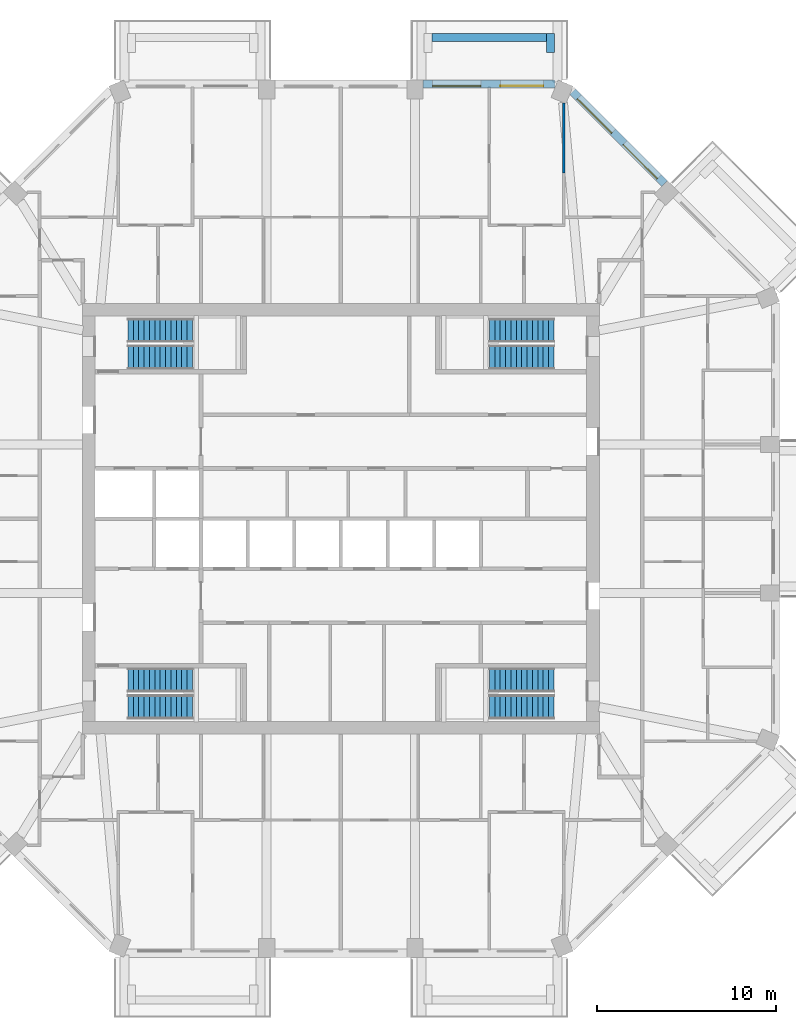
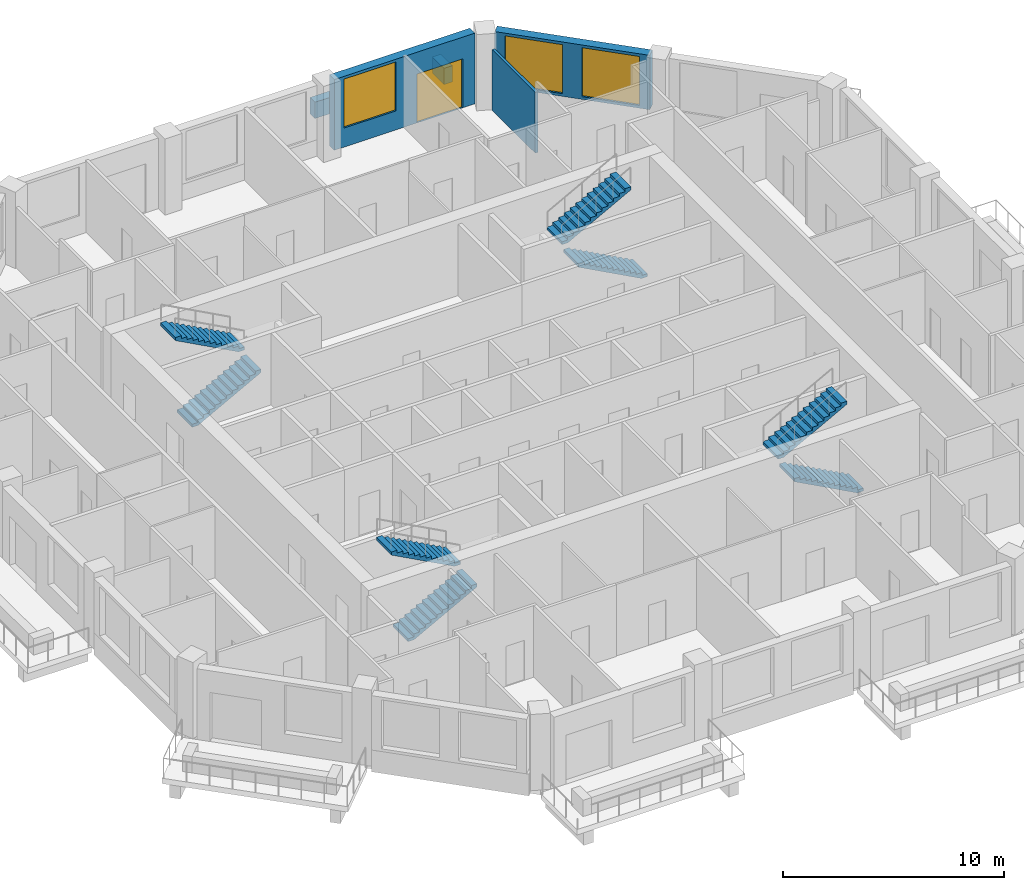
# One storey, part 10 of 12: 8 stair flights, 5 walls, 3 windows, 1 door, 4 openings, 4 elements without a shape of their own.
"""IFC4 building model written with IfcOpenShell, lengths in metres."""

from ifc_helpers import new_model, si_unit, direction, frame, frame_2d, origin, place, context, subcontext, project, spatial, polyline, rectangle, outline, extrude, material, layer, layer_set, type_object, element, fill, aggregate, save


model = new_model("IFC4")

# Units and contexts
model_context = context("Model", 3, precision=1e-05, world=origin(), true_north=direction((0.0, 1.0)))
body_context = subcontext(model_context, "Body", "Model", "MODEL_VIEW")
ifc_project = project(units=[si_unit("LENGTHUNIT", "METRE"), si_unit("AREAUNIT", "SQUARE_METRE"), si_unit("VOLUMEUNIT", "CUBIC_METRE"), si_unit("PLANEANGLEUNIT", "RADIAN"), si_unit("MASSUNIT", "GRAM", prefix="KILO")], contexts=[model_context])

# Site, building, storey
site_placement = place(None, origin())
site = spatial("IfcSite", under=ifc_project, at=site_placement, CompositionType="ELEMENT")
building_placement = place(site_placement, origin())
building = spatial("IfcBuilding", under=site, at=building_placement, Name="Msitu Wima Residences", CompositionType="ELEMENT")
storey_placement = place(building_placement, frame((0.0, 0.0, 179.10009765625)))
storey = spatial("IfcBuildingStorey", under=building, at=storey_placement, Name="L41", CompositionType="ELEMENT", Elevation=179.10009765625)

# Walls
ifc_material_1 = material(Name="Facing brick")
ifc_layer_1 = layer(ifc_material_1, 0.06494140625, Name="Facing brick")
ifc_material_2 = material(Name="Concrete C40/50", Category="concrete")
ifc_layer_2 = layer(ifc_material_2, 0.156005859375, Name="Concrete C40/50")
ifc_material_3 = material(Name="Waterproofing membrane")
ifc_layer_3 = layer(ifc_material_3, 0.00390625, Name="Waterproofing membrane")
ifc_material_4 = material(Name="Planting soil and planting")
ifc_layer_4 = layer(ifc_material_4, 0.22509765625, Name="Planting soil and planting")
ifc_layer_set_1 = layer_set([ifc_layer_1, ifc_layer_2, ifc_layer_3, ifc_layer_4], Name="Concrete C40/50")
wall_type_1 = type_object("IfcWallType", Name="Balcony planter PLANTER PL450", PredefinedType="USERDEFINED", material=ifc_layer_set_1)
wall_1_placement = place(storey_placement, frame((11.461669921875, 26.824951171875, 0.0), z_axis=(0.0, 0.0, 1.0), x_axis=(-1.0, 0.0, 0.0)))
element("IfcWall", 1, at=wall_1_placement, inside=storey, type_object=wall_type_1, Name="Balcony planter N0 L41", ObjectType="PLANTER", PredefinedType="USERDEFINED", context=body_context, shape_type="SweptSolid", body=[
    extrude(rectangle(XDim=6.37451171875, YDim=0.449951171875, at=frame_2d((3.187255859375, 0.0))), origin(), (0.0, 0.0, 1.0), 0.89990234375),
])
wall_2_placement = place(storey_placement, frame((11.686767578125, 26.0, 0.0), z_axis=(0.0, 0.0, 1.0), x_axis=(0.0, 1.0, 0.0)))
element("IfcWall", 2, at=wall_2_placement, inside=storey, type_object=wall_type_1, Name="Balcony planter N0 L41", ObjectType="PLANTER", PredefinedType="USERDEFINED", context=body_context, shape_type="SweptSolid", body=[
    extrude(rectangle(XDim=1.050048828125, YDim=0.449951171875, at=frame_2d((0.52490234375, 0.0))), origin(), (0.0, 0.0, 1.0), 0.89990234375),
])

# Wall, openings, windows
ifc_material_5 = material(Name="Brick (red buff mix)", Category="masonry")
ifc_layer_5 = layer(ifc_material_5, 0.449951171875)
ifc_layer_set_2 = layer_set([ifc_layer_5], Name="Brick (red buff mix)")
wall_type_2 = type_object("IfcWallType", Name="Brick infill wall BW450", PredefinedType="SOLIDWALL", material=ifc_layer_set_2)
wall_3_placement = place(storey_placement, frame((18.046875, 18.68310546875, 0.89990234375), z_axis=(0.0, 0.0, 1.0), x_axis=(-0.707106781187, 0.707106781187, 0.0)))
wall_3 = element("IfcWall", 3, at=wall_3_placement, inside=storey, type_object=wall_type_2, Name="Brick infill wall L41 NE1", PredefinedType="SOLIDWALL", context=body_context, shape_type="SweptSolid", body=[
    extrude(rectangle(XDim=7.257080078125, YDim=0.449951171875, at=frame_2d((3.62841796875, 0.0))), origin(), (0.0, 0.0, 1.0), 3.0),
])
opening_1_placement = place(wall_3_placement, frame((0.478515625, 0.0, 0.14990234375)))
opening_1 = element("IfcOpeningElement", 4, at=opening_1_placement, cuts=wall_3, Name="Opening W40-42.011", PredefinedType="OPENING", context=body_context, shape_type="SweptSolid", body=[
    extrude(rectangle(XDim=2.699951171875, YDim=2.699951171875, at=frame_2d((1.35009765625, 1.35009765625))), frame((0.0, 0.23486328125, 0.0), z_axis=(0.0, -1.0, 0.0), x_axis=(1.0, 0.0, 0.0)), (0.0, 0.0, 1.0), 0.469970703125),
])
opening_2_placement = place(wall_3_placement, frame((4.07861328125, 0.0, 0.14990234375)))
opening_2 = element("IfcOpeningElement", 5, at=opening_2_placement, cuts=wall_3, Name="Opening W40-42.012", PredefinedType="OPENING", context=body_context, shape_type="SweptSolid", body=[
    extrude(rectangle(XDim=2.699951171875, YDim=2.699951171875, at=frame_2d((1.35009765625, 1.35009765625))), frame((0.0, 0.23486328125, 0.0), z_axis=(0.0, -1.0, 0.0), x_axis=(1.0, 0.0, 0.0)), (0.0, 0.0, 1.0), 0.469970703125),
])
ifc_material_6 = material(Name="Anodised aluminium, bronze finish, clear low-emissivity double glazing", Category="aluminium")
window_type = type_object("IfcWindowType", Name="Window W2700x2700", PartitioningType="DOUBLE_PANEL_VERTICAL", PredefinedType="WINDOW", material=ifc_material_6)
window_1_placement = place(opening_1_placement, origin())
window_1 = element("IfcWindow", 6, at=window_1_placement, inside=storey, type_object=window_type, Name="Window L41 NE1.1", OverallHeight=2.699951171875, OverallWidth=2.699951171875, PartitioningType="SINGLE_PANEL", PredefinedType="WINDOW", context=body_context, shape_type="SweptSolid", body=[
    extrude(rectangle(XDim=2.699951171875, YDim=2.699951171875, at=frame_2d((1.35009765625, 1.35009765625))), frame((0.0, 0.135009765625, 0.0), z_axis=(0.0, -1.0, 0.0), x_axis=(1.0, 0.0, 0.0)), (0.0, 0.0, 1.0), 0.06005859375),
])
fill(opening_1, window_1)
window_2_placement = place(opening_2_placement, origin())
window_2 = element("IfcWindow", 7, at=window_2_placement, inside=storey, type_object=window_type, Name="Window L41 NE1.2", OverallHeight=2.699951171875, OverallWidth=2.699951171875, PartitioningType="SINGLE_PANEL", PredefinedType="WINDOW", context=body_context, shape_type="SweptSolid", body=[
    extrude(rectangle(XDim=2.699951171875, YDim=2.699951171875, at=frame_2d((1.35009765625, 1.35009765625))), frame((0.0, 0.135009765625, 0.0), z_axis=(0.0, -1.0, 0.0), x_axis=(1.0, 0.0, 0.0)), (0.0, 0.0, 1.0), 0.06005859375),
])
fill(opening_2, window_2)

# Wall, openings, door, window
wall_4_placement = place(storey_placement, frame((11.9248046875, 24.22509765625, 0.0), z_axis=(0.0, 0.0, 1.0), x_axis=(-1.0, 0.0, 0.0)))
wall_4 = element("IfcWall", 8, at=wall_4_placement, inside=storey, type_object=wall_type_2, Name="Brick infill wall L41 N0", PredefinedType="SOLIDWALL", context=body_context, shape_type="SweptSolid", body=[
    extrude(rectangle(XDim=7.337646484375, YDim=0.449951171875, at=frame_2d((3.6689453125, 0.0))), origin(), (0.0, 0.0, 1.0), 3.89990234375),
])
opening_3_placement = place(wall_4_placement, frame((0.63427734375, 0.0, 0.0)))
opening_3 = element("IfcOpeningElement", 9, at=opening_3_placement, cuts=wall_4, Name="Opening D40-42.002", PredefinedType="OPENING", context=body_context, shape_type="SweptSolid", body=[
    extrude(rectangle(XDim=2.39990234375, YDim=2.699951171875, at=frame_2d((1.199951171875, 1.35009765625))), frame((0.0, 0.23486328125, 0.0), z_axis=(0.0, -1.0, 0.0), x_axis=(1.0, 0.0, 0.0)), (0.0, 0.0, 1.0), 0.469970703125),
])
opening_4_placement = place(wall_4_placement, frame((4.11865234375, 0.0, 1.050048828125)))
opening_4 = element("IfcOpeningElement", 10, at=opening_4_placement, cuts=wall_4, Name="Opening W40-42.006", PredefinedType="OPENING", context=body_context, shape_type="SweptSolid", body=[
    extrude(rectangle(XDim=2.699951171875, YDim=2.699951171875, at=frame_2d((1.35009765625, 1.35009765625))), frame((0.0, 0.23486328125, 0.0), z_axis=(0.0, -1.0, 0.0), x_axis=(1.0, 0.0, 0.0)), (0.0, 0.0, 1.0), 0.469970703125),
])
door_type = type_object("IfcDoorType", Name="Balcony door D2400x2700", OperationType="SLIDING_TO_LEFT", PredefinedType="DOOR", material=ifc_material_6)
door_placement = place(opening_3_placement, origin())
door = element("IfcDoor", 11, at=door_placement, inside=storey, type_object=door_type, Name="Balcony door L41 N0", OperationType="SINGLE_SWING_LEFT", OverallHeight=2.699951171875, OverallWidth=2.39990234375, PredefinedType="DOOR", context=body_context, shape_type="SweptSolid", body=[
    extrude(rectangle(XDim=2.39990234375, YDim=2.699951171875, at=frame_2d((1.199951171875, 1.35009765625))), frame((0.0, 0.1298828125, 0.0), z_axis=(0.0, -1.0, 0.0), x_axis=(1.0, 0.0, 0.0)), (0.0, 0.0, 1.0), 0.050048828125),
])
fill(opening_3, door)
window_3_placement = place(opening_4_placement, origin())
window_3 = element("IfcWindow", 12, at=window_3_placement, inside=storey, type_object=window_type, Name="Window L41 N0.2", OverallHeight=2.699951171875, OverallWidth=2.699951171875, PartitioningType="SINGLE_PANEL", PredefinedType="WINDOW", context=body_context, shape_type="SweptSolid", body=[
    extrude(rectangle(XDim=2.699951171875, YDim=2.699951171875, at=frame_2d((1.35009765625, 1.35009765625))), frame((0.0, 0.135009765625, 0.0), z_axis=(0.0, -1.0, 0.0), x_axis=(1.0, 0.0, 0.0)), (0.0, 0.0, 1.0), 0.06005859375),
])
fill(opening_4, window_3)

# Wall
ifc_material_7 = material(Name="Plaster")
ifc_layer_6 = layer(ifc_material_7, 0.011962890625, Name="Plaster")
ifc_material_8 = material(Name="Concrete blockwork", Category="masonry")
ifc_layer_7 = layer(ifc_material_8, 0.1259765625, Name="Concrete blockwork")
ifc_layer_8 = layer(ifc_material_7, 0.011962890625, Name="Plaster")
ifc_layer_set_3 = layer_set([ifc_layer_6, ifc_layer_7, ifc_layer_8], Name="Concrete blockwork")
wall_type_3 = type_object("IfcWallType", Name="Partition PW150", PredefinedType="PARTITIONING", material=ifc_layer_set_3)
wall_5_placement = place(storey_placement, frame((12.411865234375, 19.2705078125, 0.0), z_axis=(0.0, 0.0, 1.0), x_axis=(0.0, 1.0, 0.0)))
element("IfcWall", 13, at=wall_5_placement, inside=storey, type_object=wall_type_3, Name="Partition", PredefinedType="PARTITIONING", context=body_context, shape_type="SweptSolid", body=[
    extrude(rectangle(XDim=3.8984375, YDim=0.14990234375, at=frame_2d((1.94921875, 0.0))), origin(), (0.0, 0.0, 1.0), 3.349853515625),
])

# Stair, stair flights
stair_type = type_object("IfcStairType", Name="Exit stair ES1615-135", PredefinedType="HALF_TURN_STAIR", material=ifc_material_2)
stair_1_placement = place(storey_placement, origin())
stair_1 = element("IfcStair", 14, at=stair_1_placement, inside=storey, type_object=stair_type, Name="Exit stair 1", PredefinedType="HALF_TURN_STAIR")
stair_flight_type = type_object("IfcStairFlightType", Name="Exit stair flight ES1615-135", PredefinedType="STRAIGHT", material=ifc_material_2)
stair_flight_1_placement = place(storey_placement, frame((-11.875, 9.0, 0.0), z_axis=(0.0, 0.0, 1.0), x_axis=(1.0, 0.0, 0.0)))
stair_flight_1 = element("IfcStairFlight", 15, at=stair_flight_1_placement, type_object=stair_flight_type, Name="S1 flight 1", NumberOfRisers=13, NumberOfTreads=12, PredefinedType="STRAIGHT", RiserHeight=0.161538462, TreadLength=0.3, context=body_context, shape_type="SweptSolid", body=[
    extrude(outline(polyline([(0.0, 0.0), (0.0, 0.16162109375), (0.300048828125, 0.16162109375), (0.300048828125, 0.322998046875), (0.60009765625, 0.322998046875), (0.60009765625, 0.484619140625), (0.89990234375, 0.484619140625), (0.89990234375, 0.646240234375), (1.199951171875, 0.646240234375), (1.199951171875, 0.8076171875), (1.5, 0.8076171875), (1.5, 0.96923828125), (1.800048828125, 0.96923828125), (1.800048828125, 1.130859375), (2.10009765625, 1.130859375), (2.10009765625, 1.292236328125), (2.39990234375, 1.292236328125), (2.39990234375, 1.453857421875), (2.699951171875, 1.453857421875), (2.699951171875, 1.615478515625), (3.0, 1.615478515625), (3.0, 1.77685546875), (3.300048828125, 1.77685546875), (3.300048828125, 1.9384765625), (3.60009765625, 1.9384765625), (3.60009765625, 2.10009765625), (3.60009765625, 1.768310546875), (0.316162109375, 0.0), (0.0, 0.0)])), frame((0.0, 0.675048828125, 0.0), z_axis=(0.0, -1.0, 0.0), x_axis=(1.0, 0.0, 0.0)), (0.0, 0.0, 1.0), 1.35009765625),
])
stair_flight_2_placement = place(storey_placement, frame((-8.27490234375, 10.5, 2.099853515625), z_axis=(0.0, 0.0, 1.0), x_axis=(-1.0, 0.0, 0.0)))
stair_flight_2 = element("IfcStairFlight", 16, at=stair_flight_2_placement, type_object=stair_flight_type, Name="S1 flight 2", NumberOfRisers=13, NumberOfTreads=12, PredefinedType="STRAIGHT", RiserHeight=0.161538462, TreadLength=0.3, context=body_context, shape_type="SweptSolid", body=[
    extrude(outline(polyline([(0.0, 0.0), (0.0, 0.16162109375), (0.300048828125, 0.16162109375), (0.300048828125, 0.322998046875), (0.60009765625, 0.322998046875), (0.60009765625, 0.484619140625), (0.89990234375, 0.484619140625), (0.89990234375, 0.646240234375), (1.199951171875, 0.646240234375), (1.199951171875, 0.8076171875), (1.5, 0.8076171875), (1.5, 0.96923828125), (1.800048828125, 0.96923828125), (1.800048828125, 1.130859375), (2.10009765625, 1.130859375), (2.10009765625, 1.292236328125), (2.39990234375, 1.292236328125), (2.39990234375, 1.453857421875), (2.699951171875, 1.453857421875), (2.699951171875, 1.615478515625), (3.0, 1.615478515625), (3.0, 1.77685546875), (3.300048828125, 1.77685546875), (3.300048828125, 1.9384765625), (3.60009765625, 1.9384765625), (3.60009765625, 2.10009765625), (3.60009765625, 1.768310546875), (0.316162109375, 0.0), (0.0, 0.0)])), frame((0.0, 0.675048828125, 0.0), z_axis=(0.0, -1.0, 0.0), x_axis=(1.0, 0.0, 0.0)), (0.0, 0.0, 1.0), 1.35009765625),
])
aggregate(stair_1, [stair_flight_1, stair_flight_2])

stair_2_placement = place(storey_placement, origin())
stair_2 = element("IfcStair", 17, at=stair_2_placement, inside=storey, type_object=stair_type, Name="Exit stair 2", PredefinedType="HALF_TURN_STAIR")
stair_flight_3_placement = place(storey_placement, frame((-11.875, -10.5, 0.0), z_axis=(0.0, 0.0, 1.0), x_axis=(1.0, 0.0, 0.0)))
stair_flight_3 = element("IfcStairFlight", 18, at=stair_flight_3_placement, type_object=stair_flight_type, Name="S2 flight 1", NumberOfRisers=13, NumberOfTreads=12, PredefinedType="STRAIGHT", RiserHeight=0.161538462, TreadLength=0.3, context=body_context, shape_type="SweptSolid", body=[
    extrude(outline(polyline([(0.0, 0.0), (0.0, 0.16162109375), (0.300048828125, 0.16162109375), (0.300048828125, 0.322998046875), (0.60009765625, 0.322998046875), (0.60009765625, 0.484619140625), (0.89990234375, 0.484619140625), (0.89990234375, 0.646240234375), (1.199951171875, 0.646240234375), (1.199951171875, 0.8076171875), (1.5, 0.8076171875), (1.5, 0.96923828125), (1.800048828125, 0.96923828125), (1.800048828125, 1.130859375), (2.10009765625, 1.130859375), (2.10009765625, 1.292236328125), (2.39990234375, 1.292236328125), (2.39990234375, 1.453857421875), (2.699951171875, 1.453857421875), (2.699951171875, 1.615478515625), (3.0, 1.615478515625), (3.0, 1.77685546875), (3.300048828125, 1.77685546875), (3.300048828125, 1.9384765625), (3.60009765625, 1.9384765625), (3.60009765625, 2.10009765625), (3.60009765625, 1.768310546875), (0.316162109375, 0.0), (0.0, 0.0)])), frame((0.0, 0.675048828125, 0.0), z_axis=(0.0, -1.0, 0.0), x_axis=(1.0, 0.0, 0.0)), (0.0, 0.0, 1.0), 1.35009765625),
])
stair_flight_4_placement = place(storey_placement, frame((-8.27490234375, -9.0, 2.099853515625), z_axis=(0.0, 0.0, 1.0), x_axis=(-1.0, 0.0, 0.0)))
stair_flight_4 = element("IfcStairFlight", 19, at=stair_flight_4_placement, type_object=stair_flight_type, Name="S2 flight 2", NumberOfRisers=13, NumberOfTreads=12, PredefinedType="STRAIGHT", RiserHeight=0.161538462, TreadLength=0.3, context=body_context, shape_type="SweptSolid", body=[
    extrude(outline(polyline([(0.0, 0.0), (0.0, 0.16162109375), (0.300048828125, 0.16162109375), (0.300048828125, 0.322998046875), (0.60009765625, 0.322998046875), (0.60009765625, 0.484619140625), (0.89990234375, 0.484619140625), (0.89990234375, 0.646240234375), (1.199951171875, 0.646240234375), (1.199951171875, 0.8076171875), (1.5, 0.8076171875), (1.5, 0.96923828125), (1.800048828125, 0.96923828125), (1.800048828125, 1.130859375), (2.10009765625, 1.130859375), (2.10009765625, 1.292236328125), (2.39990234375, 1.292236328125), (2.39990234375, 1.453857421875), (2.699951171875, 1.453857421875), (2.699951171875, 1.615478515625), (3.0, 1.615478515625), (3.0, 1.77685546875), (3.300048828125, 1.77685546875), (3.300048828125, 1.9384765625), (3.60009765625, 1.9384765625), (3.60009765625, 2.10009765625), (3.60009765625, 1.768310546875), (0.316162109375, 0.0), (0.0, 0.0)])), frame((0.0, 0.675048828125, 0.0), z_axis=(0.0, -1.0, 0.0), x_axis=(1.0, 0.0, 0.0)), (0.0, 0.0, 1.0), 1.35009765625),
])
aggregate(stair_2, [stair_flight_3, stair_flight_4])

stair_3_placement = place(storey_placement, origin())
stair_3 = element("IfcStair", 20, at=stair_3_placement, inside=storey, type_object=stair_type, Name="Exit stair 3", PredefinedType="HALF_TURN_STAIR")
stair_flight_5_placement = place(storey_placement, frame((11.875, 9.0, 0.0), z_axis=(0.0, 0.0, 1.0), x_axis=(-1.0, 0.0, 0.0)))
stair_flight_5 = element("IfcStairFlight", 21, at=stair_flight_5_placement, type_object=stair_flight_type, Name="S3 flight 1", NumberOfRisers=13, NumberOfTreads=12, PredefinedType="STRAIGHT", RiserHeight=0.161538462, TreadLength=0.3, context=body_context, shape_type="SweptSolid", body=[
    extrude(outline(polyline([(0.0, 0.0), (0.0, 0.16162109375), (0.300048828125, 0.16162109375), (0.300048828125, 0.322998046875), (0.60009765625, 0.322998046875), (0.60009765625, 0.484619140625), (0.89990234375, 0.484619140625), (0.89990234375, 0.646240234375), (1.199951171875, 0.646240234375), (1.199951171875, 0.8076171875), (1.5, 0.8076171875), (1.5, 0.96923828125), (1.800048828125, 0.96923828125), (1.800048828125, 1.130859375), (2.10009765625, 1.130859375), (2.10009765625, 1.292236328125), (2.39990234375, 1.292236328125), (2.39990234375, 1.453857421875), (2.699951171875, 1.453857421875), (2.699951171875, 1.615478515625), (3.0, 1.615478515625), (3.0, 1.77685546875), (3.300048828125, 1.77685546875), (3.300048828125, 1.9384765625), (3.60009765625, 1.9384765625), (3.60009765625, 2.10009765625), (3.60009765625, 1.768310546875), (0.316162109375, 0.0), (0.0, 0.0)])), frame((0.0, 0.675048828125, 0.0), z_axis=(0.0, -1.0, 0.0), x_axis=(1.0, 0.0, 0.0)), (0.0, 0.0, 1.0), 1.35009765625),
])
stair_flight_6_placement = place(storey_placement, frame((8.27490234375, 10.5, 2.099853515625), z_axis=(0.0, 0.0, 1.0), x_axis=(1.0, 0.0, 0.0)))
stair_flight_6 = element("IfcStairFlight", 22, at=stair_flight_6_placement, type_object=stair_flight_type, Name="S3 flight 2", NumberOfRisers=13, NumberOfTreads=12, PredefinedType="STRAIGHT", RiserHeight=0.161538462, TreadLength=0.3, context=body_context, shape_type="SweptSolid", body=[
    extrude(outline(polyline([(0.0, 0.0), (0.0, 0.16162109375), (0.300048828125, 0.16162109375), (0.300048828125, 0.322998046875), (0.60009765625, 0.322998046875), (0.60009765625, 0.484619140625), (0.89990234375, 0.484619140625), (0.89990234375, 0.646240234375), (1.199951171875, 0.646240234375), (1.199951171875, 0.8076171875), (1.5, 0.8076171875), (1.5, 0.96923828125), (1.800048828125, 0.96923828125), (1.800048828125, 1.130859375), (2.10009765625, 1.130859375), (2.10009765625, 1.292236328125), (2.39990234375, 1.292236328125), (2.39990234375, 1.453857421875), (2.699951171875, 1.453857421875), (2.699951171875, 1.615478515625), (3.0, 1.615478515625), (3.0, 1.77685546875), (3.300048828125, 1.77685546875), (3.300048828125, 1.9384765625), (3.60009765625, 1.9384765625), (3.60009765625, 2.10009765625), (3.60009765625, 1.768310546875), (0.316162109375, 0.0), (0.0, 0.0)])), frame((0.0, 0.675048828125, 0.0), z_axis=(0.0, -1.0, 0.0), x_axis=(1.0, 0.0, 0.0)), (0.0, 0.0, 1.0), 1.35009765625),
])
aggregate(stair_3, [stair_flight_5, stair_flight_6])

stair_4_placement = place(storey_placement, origin())
stair_4 = element("IfcStair", 23, at=stair_4_placement, inside=storey, type_object=stair_type, Name="Exit stair 4", PredefinedType="HALF_TURN_STAIR")
stair_flight_7_placement = place(storey_placement, frame((11.875, -10.5, 0.0), z_axis=(0.0, 0.0, 1.0), x_axis=(-1.0, 0.0, 0.0)))
stair_flight_7 = element("IfcStairFlight", 24, at=stair_flight_7_placement, type_object=stair_flight_type, Name="S4 flight 1", NumberOfRisers=13, NumberOfTreads=12, PredefinedType="STRAIGHT", RiserHeight=0.161538462, TreadLength=0.3, context=body_context, shape_type="SweptSolid", body=[
    extrude(outline(polyline([(0.0, 0.0), (0.0, 0.16162109375), (0.300048828125, 0.16162109375), (0.300048828125, 0.322998046875), (0.60009765625, 0.322998046875), (0.60009765625, 0.484619140625), (0.89990234375, 0.484619140625), (0.89990234375, 0.646240234375), (1.199951171875, 0.646240234375), (1.199951171875, 0.8076171875), (1.5, 0.8076171875), (1.5, 0.96923828125), (1.800048828125, 0.96923828125), (1.800048828125, 1.130859375), (2.10009765625, 1.130859375), (2.10009765625, 1.292236328125), (2.39990234375, 1.292236328125), (2.39990234375, 1.453857421875), (2.699951171875, 1.453857421875), (2.699951171875, 1.615478515625), (3.0, 1.615478515625), (3.0, 1.77685546875), (3.300048828125, 1.77685546875), (3.300048828125, 1.9384765625), (3.60009765625, 1.9384765625), (3.60009765625, 2.10009765625), (3.60009765625, 1.768310546875), (0.316162109375, 0.0), (0.0, 0.0)])), frame((0.0, 0.675048828125, 0.0), z_axis=(0.0, -1.0, 0.0), x_axis=(1.0, 0.0, 0.0)), (0.0, 0.0, 1.0), 1.35009765625),
])
stair_flight_8_placement = place(storey_placement, frame((8.27490234375, -9.0, 2.099853515625), z_axis=(0.0, 0.0, 1.0), x_axis=(1.0, 0.0, 0.0)))
stair_flight_8 = element("IfcStairFlight", 25, at=stair_flight_8_placement, type_object=stair_flight_type, Name="S4 flight 2", NumberOfRisers=13, NumberOfTreads=12, PredefinedType="STRAIGHT", RiserHeight=0.161538462, TreadLength=0.3, context=body_context, shape_type="SweptSolid", body=[
    extrude(outline(polyline([(0.0, 0.0), (0.0, 0.16162109375), (0.300048828125, 0.16162109375), (0.300048828125, 0.322998046875), (0.60009765625, 0.322998046875), (0.60009765625, 0.484619140625), (0.89990234375, 0.484619140625), (0.89990234375, 0.646240234375), (1.199951171875, 0.646240234375), (1.199951171875, 0.8076171875), (1.5, 0.8076171875), (1.5, 0.96923828125), (1.800048828125, 0.96923828125), (1.800048828125, 1.130859375), (2.10009765625, 1.130859375), (2.10009765625, 1.292236328125), (2.39990234375, 1.292236328125), (2.39990234375, 1.453857421875), (2.699951171875, 1.453857421875), (2.699951171875, 1.615478515625), (3.0, 1.615478515625), (3.0, 1.77685546875), (3.300048828125, 1.77685546875), (3.300048828125, 1.9384765625), (3.60009765625, 1.9384765625), (3.60009765625, 2.10009765625), (3.60009765625, 1.768310546875), (0.316162109375, 0.0), (0.0, 0.0)])), frame((0.0, 0.675048828125, 0.0), z_axis=(0.0, -1.0, 0.0), x_axis=(1.0, 0.0, 0.0)), (0.0, 0.0, 1.0), 1.35009765625),
])
aggregate(stair_4, [stair_flight_7, stair_flight_8])

save(model, "model.ifc")
